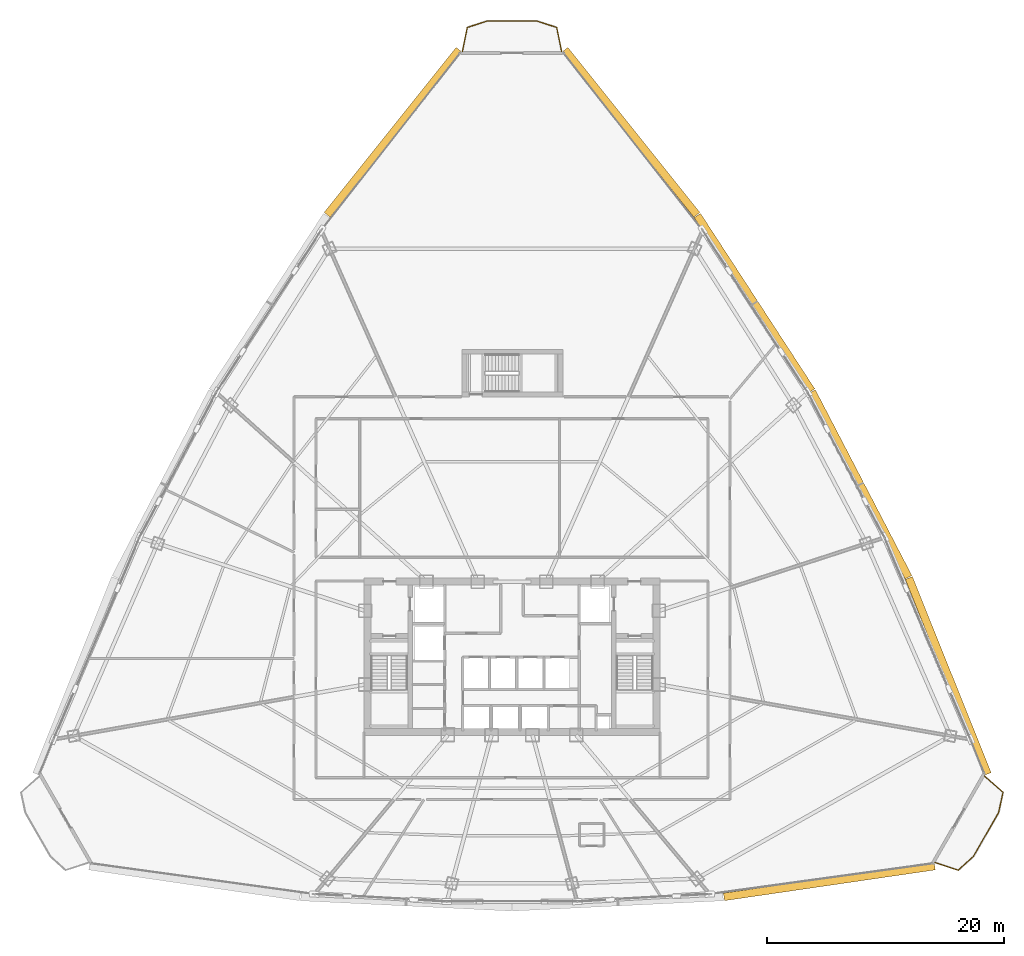
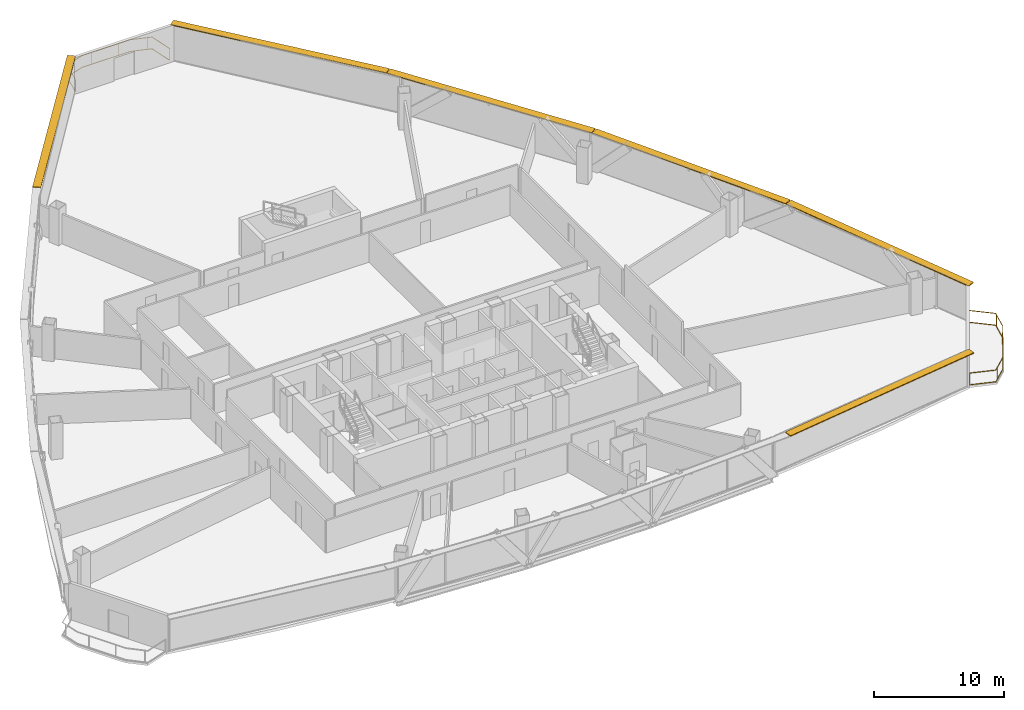
# One storey, part 39 of 39: 6 shading devices, 2 railings.
"""IFC4 building model written with IfcOpenShell, lengths in metres."""

from ifc_helpers import new_model, si_unit, direction, frame, origin, origin_2d, place, context, subcontext, project, spatial, rectangle, extrude, source, transform, mapped, material, layer, layer_set, type_object, element, save


model = new_model("IFC4")

# Units and contexts
model_context = context("Model", 3, precision=1e-05, world=origin(), true_north=direction((0.0, 1.0)))
body_context = subcontext(model_context, "Body", "Model", "MODEL_VIEW")
ifc_project = project(units=[si_unit("LENGTHUNIT", "METRE"), si_unit("AREAUNIT", "SQUARE_METRE"), si_unit("VOLUMEUNIT", "CUBIC_METRE"), si_unit("PLANEANGLEUNIT", "RADIAN"), si_unit("MASSUNIT", "GRAM", prefix="KILO"), si_unit("THERMODYNAMICTEMPERATUREUNIT", "KELVIN"), si_unit("POWERUNIT", "WATT")], contexts=[model_context])

# Site, building, storey
site_placement = place(None, origin())
site = spatial("IfcSite", under=ifc_project, at=site_placement, CompositionType="ELEMENT")
building_placement = place(site_placement, origin())
building = spatial("IfcBuilding", under=site, at=building_placement, Name="Yunzhuo Pagoda Commons", CompositionType="ELEMENT")
storey_placement = place(building_placement, frame((0.0, 0.0, 144.550048828125)))
storey = spatial("IfcBuildingStorey", under=building, at=storey_placement, Name="L36", CompositionType="ELEMENT", Elevation=144.550048828125)

# Railings
ifc_material = material(Name="Anodized aluminium 6063-T6", Category="aluminium")
railing_type = type_object("IfcRailingType", Name="RL-BAL1 Exterior Terrace & Balcony Balustrade 1150", PredefinedType="BALUSTRADE", material=ifc_material)
railing_1_placement = place(storey_placement, frame((83.715087890625, 16.4912109375, 0.0)))
element("IfcRailing", 1, at=railing_1_placement, inside=storey, type_object=railing_type, Name="L36 corner balcony balustrade V2", PredefinedType="BALUSTRADE", context=body_context, shape_type="SweptSolid", body=[
    extrude(rectangle(XDim=0.048095703125, YDim=0.048095703125, at=origin_2d()), frame((0.0, 0.0, 1.1259765625), z_axis=(0.947419062147, -0.319995501031, 0.0), x_axis=(0.319995501031, 0.947419062147, 0.0)), (0.0, 0.0, 1.0), 2.05908203125),
    extrude(rectangle(XDim=0.048095703125, YDim=0.048095703125, at=origin_2d()), frame((0.0, 0.0, 0.02392578125), z_axis=(0.947419062147, -0.319995501031, 0.0), x_axis=(0.319995501031, 0.947419062147, 0.0)), (0.0, 0.0, 1.0), 2.05908203125),
    extrude(rectangle(XDim=0.048095703125, YDim=0.048095703125, at=origin_2d()), frame((1.950927734375, -0.658935546875, 1.1259765625), z_axis=(0.738206272815, 0.674575050514, 0.0), x_axis=(-0.674575050514, 0.738206272815, 0.0)), (0.0, 0.0, 1.0), 1.741943359375),
    extrude(rectangle(XDim=0.048095703125, YDim=0.048095703125, at=origin_2d()), frame((1.950927734375, -0.658935546875, 0.02392578125), z_axis=(0.738206272815, 0.674575050514, 0.0), x_axis=(-0.674575050514, 0.738206272815, 0.0)), (0.0, 0.0, 1.0), 1.741943359375),
    extrude(rectangle(XDim=0.048095703125, YDim=0.048095703125, at=origin_2d()), frame((3.23681640625, 0.51611328125, 1.1259765625), z_axis=(0.497938246053, 0.867212490176, 0.0), x_axis=(-0.867212490176, 0.497938246053, 0.0)), (0.0, 0.0, 1.0), 4.27880859375),
    extrude(rectangle(XDim=0.048095703125, YDim=0.048095703125, at=origin_2d()), frame((3.23681640625, 0.51611328125, 0.02392578125), z_axis=(0.497938246053, 0.867212490176, 0.0), x_axis=(-0.867212490176, 0.497938246053, 0.0)), (0.0, 0.0, 1.0), 4.27880859375),
    extrude(rectangle(XDim=0.048095703125, YDim=0.048095703125, at=origin_2d()), frame((5.367431640625, 4.226806640625, 1.1259765625), z_axis=(0.210380911568, 0.977619492465, 0.0), x_axis=(-0.977619492465, 0.210380911568, 0.0)), (0.0, 0.0, 1.0), 1.741943359375),
    extrude(rectangle(XDim=0.048095703125, YDim=0.048095703125, at=origin_2d()), frame((5.367431640625, 4.226806640625, 0.02392578125), z_axis=(0.210380911568, 0.977619492465, 0.0), x_axis=(-0.977619492465, 0.210380911568, 0.0)), (0.0, 0.0, 1.0), 1.741943359375),
    extrude(rectangle(XDim=0.048095703125, YDim=0.048095703125, at=origin_2d()), frame((5.73388671875, 5.9296875, 1.1259765625), z_axis=(-0.753933830692, 0.656950362614, 0.0), x_axis=(-0.656950362614, -0.753933830692, 0.0)), (0.0, 0.0, 1.0), 2.05908203125),
    extrude(rectangle(XDim=0.048095703125, YDim=0.048095703125, at=origin_2d()), frame((5.73388671875, 5.9296875, 0.02392578125), z_axis=(-0.753933830692, 0.656950362614, 0.0), x_axis=(-0.656950362614, -0.753933830692, 0.0)), (0.0, 0.0, 1.0), 2.05908203125),
    extrude(rectangle(XDim=0.0419921875, YDim=0.0419921875, at=origin_2d()), origin(), (0.0, 0.0, 1.0), 1.101806640625),
    extrude(rectangle(XDim=0.0419921875, YDim=0.0419921875, at=origin_2d()), frame((2.202392578125, -0.428955078125, 0.0)), (0.0, 0.0, 1.0), 1.101806640625),
    extrude(rectangle(XDim=0.0419921875, YDim=0.0419921875, at=origin_2d()), frame((3.734130859375, 1.38232421875, 0.0)), (0.0, 0.0, 1.0), 1.101806640625),
    extrude(rectangle(XDim=0.0419921875, YDim=0.0419921875, at=origin_2d()), frame((4.92919921875, 3.463623046875, 0.0)), (0.0, 0.0, 1.0), 1.101806640625),
    extrude(rectangle(XDim=0.0419921875, YDim=0.0419921875, at=origin_2d()), frame((5.687255859375, 5.712890625, 0.0)), (0.0, 0.0, 1.0), 1.101806640625),
    extrude(rectangle(XDim=0.0419921875, YDim=0.0419921875, at=origin_2d()), frame((4.181396484375, 7.282470703125, 0.0)), (0.0, 0.0, 1.0), 1.101806640625),
])
railing_2_placement = place(storey_placement, frame((52.18115234375, 84.958251953125, 0.0)))
element("IfcRailing", 2, at=railing_2_placement, inside=storey, type_object=railing_type, Name="L36 corner balcony balustrade V3", PredefinedType="BALUSTRADE", context=body_context, shape_type="SweptSolid", body=[
    extrude(rectangle(XDim=0.048095703125, YDim=0.048095703125, at=origin_2d()), frame((0.0, 0.0, 1.1259765625), z_axis=(-0.194314652384, 0.980939251875, 0.0), x_axis=(-0.980939251875, -0.194314652384, 0.0)), (0.0, 0.0, 1.0), 2.059326171875),
    extrude(rectangle(XDim=0.048095703125, YDim=0.048095703125, at=origin_2d()), frame((0.0, 0.0, 0.02392578125), z_axis=(-0.194314652384, 0.980939251875, 0.0), x_axis=(-0.980939251875, -0.194314652384, 0.0)), (0.0, 0.0, 1.0), 2.059326171875),
    extrude(rectangle(XDim=0.048095703125, YDim=0.048095703125, at=origin_2d()), frame((-0.400146484375, 2.02001953125, 1.1259765625), z_axis=(-0.952104734014, 0.30577209727, 0.0), x_axis=(-0.30577209727, -0.952104734014, 0.0)), (0.0, 0.0, 1.0), 1.7333984375),
    extrude(rectangle(XDim=0.048095703125, YDim=0.048095703125, at=origin_2d()), frame((-0.400146484375, 2.02001953125, 0.02392578125), z_axis=(-0.952104734014, 0.30577209727, 0.0), x_axis=(-0.30577209727, -0.952104734014, 0.0)), (0.0, 0.0, 1.0), 1.7333984375),
    extrude(rectangle(XDim=0.048095703125, YDim=0.048095703125, at=origin_2d()), frame((-2.050537109375, 2.550048828125, 1.1259765625), z_axis=(-1.0, 0.0, 0.0), x_axis=(0.0, -1.0, 0.0)), (0.0, 0.0, 1.0), 4.26123046875),
    extrude(rectangle(XDim=0.048095703125, YDim=0.048095703125, at=origin_2d()), frame((-2.050537109375, 2.550048828125, 0.02392578125), z_axis=(-1.0, 0.0, 0.0), x_axis=(0.0, -1.0, 0.0)), (0.0, 0.0, 1.0), 4.26123046875),
    extrude(rectangle(XDim=0.048095703125, YDim=0.048095703125, at=origin_2d()), frame((-6.311767578125, 2.550048828125, 1.1259765625), z_axis=(-0.952104734014, -0.30577209727, 0.0), x_axis=(0.30577209727, -0.952104734014, 0.0)), (0.0, 0.0, 1.0), 1.7333984375),
    extrude(rectangle(XDim=0.048095703125, YDim=0.048095703125, at=origin_2d()), frame((-6.311767578125, 2.550048828125, 0.02392578125), z_axis=(-0.952104734014, -0.30577209727, 0.0), x_axis=(0.30577209727, -0.952104734014, 0.0)), (0.0, 0.0, 1.0), 1.7333984375),
    extrude(rectangle(XDim=0.048095703125, YDim=0.048095703125, at=origin_2d()), frame((-7.962158203125, 2.02001953125, 1.1259765625), z_axis=(-0.194314652384, -0.980939251875, 0.0), x_axis=(0.980939251875, -0.194314652384, 0.0)), (0.0, 0.0, 1.0), 2.059326171875),
    extrude(rectangle(XDim=0.048095703125, YDim=0.048095703125, at=origin_2d()), frame((-7.962158203125, 2.02001953125, 0.02392578125), z_axis=(-0.194314652384, -0.980939251875, 0.0), x_axis=(0.980939251875, -0.194314652384, 0.0)), (0.0, 0.0, 1.0), 2.059326171875),
    extrude(rectangle(XDim=0.0419921875, YDim=0.0419921875, at=origin_2d()), origin(), (0.0, 0.0, 1.0), 1.101806640625),
    extrude(rectangle(XDim=0.0419921875, YDim=0.0419921875, at=origin_2d()), frame((-0.724609375, 2.124267578125, 0.0)), (0.0, 0.0, 1.0), 1.101806640625),
    extrude(rectangle(XDim=0.0419921875, YDim=0.0419921875, at=origin_2d()), frame((-3.057861328125, 2.550048828125, 0.0)), (0.0, 0.0, 1.0), 1.101806640625),
    extrude(rectangle(XDim=0.0419921875, YDim=0.0419921875, at=origin_2d()), frame((-5.457763671875, 2.550048828125, 0.0)), (0.0, 0.0, 1.0), 1.101806640625),
    extrude(rectangle(XDim=0.0419921875, YDim=0.0419921875, at=origin_2d()), frame((-7.78369140625, 2.077392578125, 0.0)), (0.0, 0.0, 1.0), 1.101806640625),
    extrude(rectangle(XDim=0.0419921875, YDim=0.0419921875, at=origin_2d()), frame((-8.3623046875, 0.0, 0.0)), (0.0, 0.0, 1.0), 1.101806640625),
])

# Shading devices
ifc_layer = layer(ifc_material, 0.080078125)
ifc_layer_set = layer_set([ifc_layer], Name="Anodized aluminium 6063-T6")
shading_device_type = type_object("IfcShadingDeviceType", Name="SH-SUN1 Pagoda Horizontal Sunshade Eave 650", PredefinedType="USERDEFINED", material=ifc_layer_set)
shared_shape_1 = source(origin(), body_context, "Body", "SweptSolid", [
    extrude(rectangle(XDim=17.98681640625, YDim=0.64990234375, at=origin_2d()), origin(), (0.0, 0.0, 1.0), 0.080078125),
])
shading_device_placement = place(storey_placement, frame((74.791015625, 14.882080078125, 3.33984375), z_axis=(0.0, 0.0, 1.0), x_axis=(0.989510666697, 0.144459823108, 0.0)))
element("IfcShadingDevice", 3, at=shading_device_placement, inside=storey, type_object=shading_device_type, Name="L36 horizontal pagoda sunshade eave F1.4", ObjectType="SUNSHADE", PredefinedType="USERDEFINED", context=body_context, shape_type="MappedRepresentation", body=[
    mapped(shared_shape_1, transform((0.0, 0.0, 0.0), scale=1.0)),
])
shared_shape_2 = source(origin(), body_context, "Body", "SweptSolid", [
    extrude(rectangle(XDim=17.842041015625, YDim=0.64990234375, at=origin_2d()), origin(), (0.0, 0.0, 1.0), 0.080078125),
])
for number, where, z_axis, x_axis, name in (
    (4, (84.823974609375, 32.228271484375, 3.33984375), (0.0, 0.0, 1.0), (-0.372987782576, 0.927836253899, 0.0), "L36 horizontal pagoda sunshade eave F2.1"),
    (5, (58.032470703125, 78.125, 3.33984375), (0.0, 0.0, 1.0), (-0.624520471688, 0.781008438138, 0.0), "L36 horizontal pagoda sunshade eave F2.4"),
    (6, (37.967529296875, 78.125, 3.33984375), (0.0, 0.0, 1.0), (-0.624520471688, -0.781008438138, 0.0), "L36 horizontal pagoda sunshade eave F3.1"),
):
    element("IfcShadingDevice", number, at=place(storey_placement, frame(where, z_axis=z_axis, x_axis=x_axis)), inside=storey, type_object=shading_device_type, Name=name, ObjectType="SUNSHADE", PredefinedType="USERDEFINED", context=body_context, shape_type="MappedRepresentation", body=[
        mapped(shared_shape_2, transform((0.0, 0.0, 0.0), scale=1.0)),
    ])
shared_shape_3 = source(origin(), body_context, "Body", "SweptSolid", [
    extrude(rectangle(XDim=17.672607421875, YDim=0.64990234375, at=origin_2d()), origin(), (0.0, 0.0, 1.0), 0.080078125),
])
for number, where, z_axis, x_axis, name in (
    (7, (77.394775390625, 48.403564453125, 3.33984375), (0.0, 0.0, 1.0), (-0.461206683033, 0.88729273384, 0.0), "L36 horizontal pagoda sunshade eave F2.2"),
    (8, (68.464111328125, 63.70263671875, 3.33984375), (0.0, 0.0, 1.0), (-0.545853380833, 0.837880711458, 0.0), "L36 horizontal pagoda sunshade eave F2.3"),
):
    element("IfcShadingDevice", number, at=place(storey_placement, frame(where, z_axis=z_axis, x_axis=x_axis)), inside=storey, type_object=shading_device_type, Name=name, ObjectType="SUNSHADE", PredefinedType="USERDEFINED", context=body_context, shape_type="MappedRepresentation", body=[
        mapped(shared_shape_3, transform((0.0, 0.0, 0.0), scale=1.0)),
    ])

save(model, "model.ifc")
